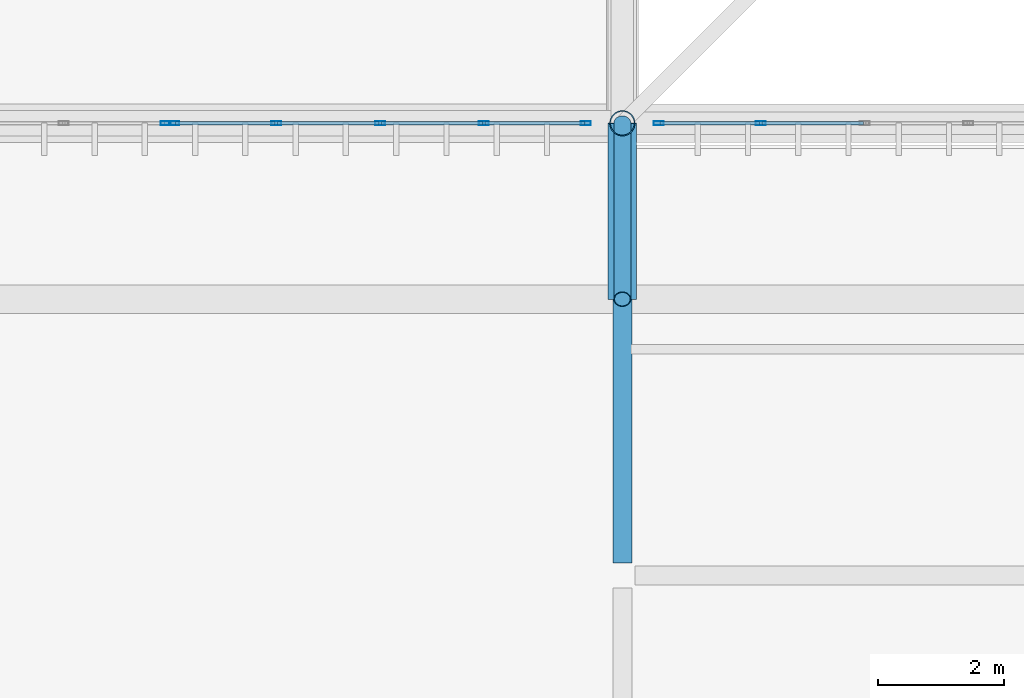
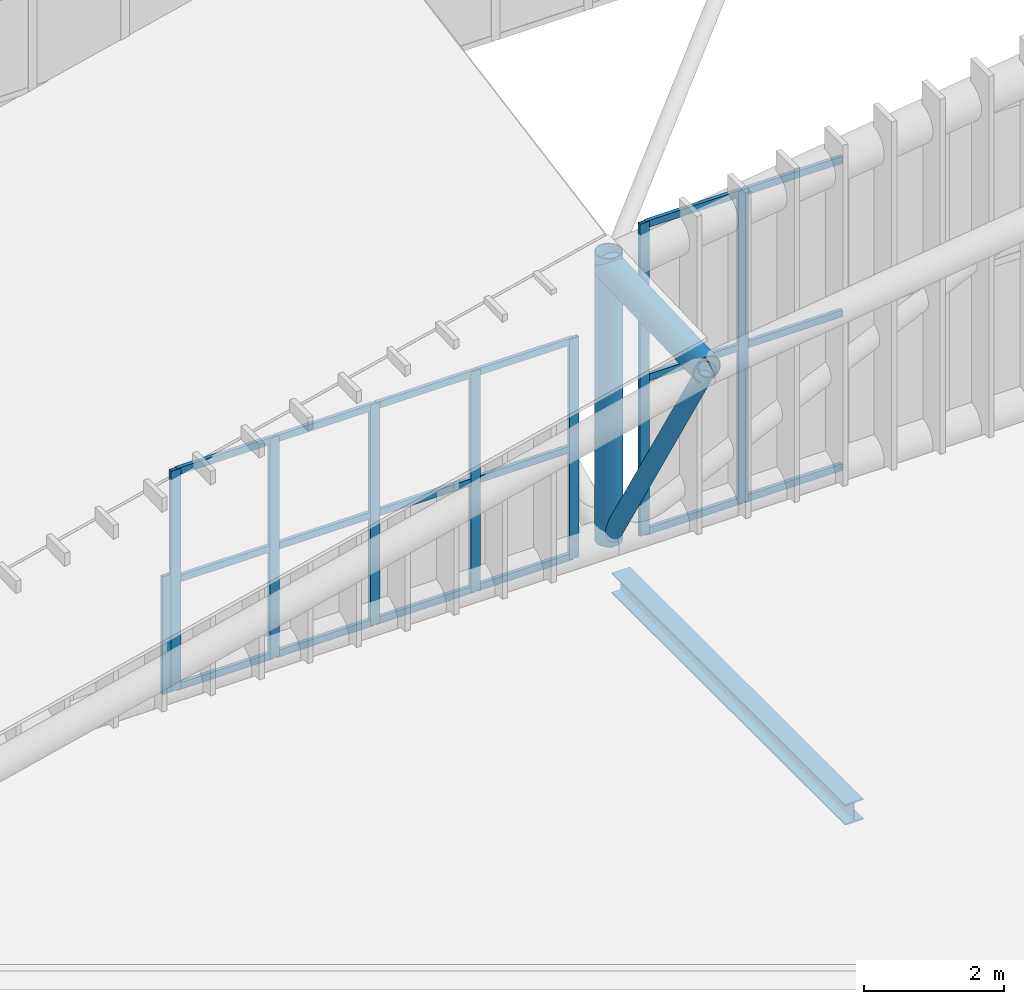
# One storey, part 5 of 397: 28 members, 2 beams, 3 elements without a shape of their own.
"""IFC4 building model written with IfcOpenShell, lengths in metres."""

from ifc_helpers import new_model, si_unit, direction, frame, origin, origin_2d, place, context, subcontext, project, spatial, hollow_rectangle, hollow_circle, i_section, extrude, material, material_profile, profile_set, type_object, element, aggregate, save


model = new_model("IFC4")

# Units and contexts
model_context = context("Model", 3, precision=1e-05, world=origin(), true_north=direction((0.0, 1.0)))
body_context = subcontext(model_context, "Body", "Model", "MODEL_VIEW")
ifc_project = project(units=[si_unit("LENGTHUNIT", "METRE"), si_unit("AREAUNIT", "SQUARE_METRE"), si_unit("VOLUMEUNIT", "CUBIC_METRE"), si_unit("PLANEANGLEUNIT", "RADIAN"), si_unit("MASSUNIT", "GRAM", prefix="KILO")], contexts=[model_context])

# Site, building, storey
site_placement = place(None, origin())
site = spatial("IfcSite", under=ifc_project, at=site_placement, CompositionType="ELEMENT")
building_placement = place(site_placement, origin())
building = spatial("IfcBuilding", under=site, at=building_placement, Name="Qandorah Velis Arena", CompositionType="ELEMENT")
storey_placement = place(building_placement, frame((0.0, 0.0, 27.5)))
storey = spatial("IfcBuildingStorey", under=building, at=storey_placement, Name="RF", CompositionType="ELEMENT", Elevation=27.5)

# Curtain wall, member
ifc_material_1 = material(Name="Solar-control low-E double glazing", Category="glass")
curtain_wall_type_1 = type_object("IfcCurtainWallType", Name="ARC-CW-SYS17", PredefinedType="USERDEFINED", material=ifc_material_1)
curtain_wall_1_placement = place(storey_placement, origin())
curtain_wall_1 = element("IfcCurtainWall", 1, at=curtain_wall_1_placement, inside=storey, type_object=curtain_wall_type_1, Name="Unitised curtain wall CROWN-3-01S1", ObjectType="UNITISED CURTAIN WALL", PredefinedType="USERDEFINED")
ifc_material_2 = material(Name="Champagne-bronze anodized aluminium 6063-T6", Category="aluminium")
ifc_material_profile_1 = material_profile(ifc_material_2, hollow_rectangle(XDim=0.06005859375, YDim=0.159912109375, WallThickness=0.00341796875, at=origin_2d()), Name="ALU MULLION 60x160")
ifc_profile_set_1 = profile_set([ifc_material_profile_1], Name="Champagne-bronze anodized aluminium 6063-T6")
member_type_1 = type_object("IfcMemberType", Name="ARC-CWM-160", PredefinedType="MULLION", material=ifc_profile_set_1)
member_1_placement = place(storey_placement, frame((21.530029296875, 14.39990234375, -0.014892578125), z_axis=(0.0, 0.0, 1.0), x_axis=(0.0, 1.0, 0.0)))
member_1 = element("IfcMember", 2, at=member_1_placement, type_object=member_type_1, Name="CW17 mullion 5", PredefinedType="MULLION", context=body_context, shape_type="SweptSolid", body=[
    extrude(hollow_rectangle(XDim=0.06005859375, YDim=0.159912109375, WallThickness=0.00341796875, at=origin_2d()), origin(), (0.0, 0.0, 1.0), 2.04541015625),
])
aggregate(curtain_wall_1, [member_1])

# Curtain wall, members
curtain_wall_type_2 = type_object("IfcCurtainWallType", Name="ARC-CW-SYS18", PredefinedType="USERDEFINED", material=ifc_material_1)
curtain_wall_2_placement = place(storey_placement, origin())
curtain_wall_2 = element("IfcCurtainWall", 3, at=curtain_wall_2_placement, inside=storey, type_object=curtain_wall_type_2, Name="Unitised curtain wall CROWN-3-01S2", ObjectType="UNITISED CURTAIN WALL", PredefinedType="USERDEFINED")
member_2_placement = place(storey_placement, frame((21.669921875, 14.39990234375, -0.014892578125), z_axis=(0.0, 0.0, 1.0), x_axis=(0.0, 1.0, 0.0)))
member_2 = element("IfcMember", 4, at=member_2_placement, type_object=member_type_1, Name="CW18 mullion 1", PredefinedType="MULLION", context=body_context, shape_type="SweptSolid", body=[
    extrude(hollow_rectangle(XDim=0.06005859375, YDim=0.159912109375, WallThickness=0.00341796875, at=origin_2d()), origin(), (0.0, 0.0, 1.0), 3.83447265625),
])
member_3_placement = place(storey_placement, frame((23.29248046875, 14.39990234375, -0.014892578125), z_axis=(0.0, 0.0, 1.0), x_axis=(0.0, 1.0, 0.0)))
member_3 = element("IfcMember", 5, at=member_3_placement, type_object=member_type_1, Name="CW18 mullion 2", PredefinedType="MULLION", context=body_context, shape_type="SweptSolid", body=[
    extrude(hollow_rectangle(XDim=0.06005859375, YDim=0.159912109375, WallThickness=0.00341796875, at=origin_2d()), origin(), (0.0, 0.0, 1.0), 3.83447265625),
])
member_4_placement = place(storey_placement, frame((24.945068359375, 14.39990234375, -0.014892578125), z_axis=(0.0, 0.0, 1.0), x_axis=(0.0, 1.0, 0.0)))
member_4 = element("IfcMember", 6, at=member_4_placement, type_object=member_type_1, Name="CW18 mullion 3", PredefinedType="MULLION", context=body_context, shape_type="SweptSolid", body=[
    extrude(hollow_rectangle(XDim=0.06005859375, YDim=0.159912109375, WallThickness=0.00341796875, at=origin_2d()), origin(), (0.0, 0.0, 1.0), 3.83447265625),
])
member_5_placement = place(storey_placement, frame((26.597412109375, 14.39990234375, -0.014892578125), z_axis=(0.0, 0.0, 1.0), x_axis=(0.0, 1.0, 0.0)))
member_5 = element("IfcMember", 7, at=member_5_placement, type_object=member_type_1, Name="CW18 mullion 4", PredefinedType="MULLION", context=body_context, shape_type="SweptSolid", body=[
    extrude(hollow_rectangle(XDim=0.06005859375, YDim=0.159912109375, WallThickness=0.00341796875, at=origin_2d()), origin(), (0.0, 0.0, 1.0), 3.83447265625),
])
member_6_placement = place(storey_placement, frame((28.219970703125, 14.39990234375, -0.014892578125), z_axis=(0.0, 0.0, 1.0), x_axis=(0.0, 1.0, 0.0)))
member_6 = element("IfcMember", 8, at=member_6_placement, type_object=member_type_1, Name="CW18 mullion 5", PredefinedType="MULLION", context=body_context, shape_type="SweptSolid", body=[
    extrude(hollow_rectangle(XDim=0.06005859375, YDim=0.159912109375, WallThickness=0.00341796875, at=origin_2d()), origin(), (0.0, 0.0, 1.0), 3.83447265625),
])

curtain_wall_3_placement = place(storey_placement, origin())
curtain_wall_3 = element("IfcCurtainWall", 9, at=curtain_wall_3_placement, inside=storey, type_object=curtain_wall_type_2, Name="Unitised curtain wall CROWN-3-02S1", ObjectType="UNITISED CURTAIN WALL", PredefinedType="USERDEFINED")
member_7_placement = place(storey_placement, frame((29.3798828125, 14.39990234375, -0.014892578125), z_axis=(0.0, 0.0, 1.0), x_axis=(0.0, 1.0, 0.0)))
member_7 = element("IfcMember", 10, at=member_7_placement, type_object=member_type_1, Name="CW18 mullion 1", PredefinedType="MULLION", context=body_context, shape_type="SweptSolid", body=[
    extrude(hollow_rectangle(XDim=0.06005859375, YDim=0.159912109375, WallThickness=0.00341796875, at=origin_2d()), origin(), (0.0, 0.0, 1.0), 5.430908203125),
])
member_8_placement = place(storey_placement, frame((31.00244140625, 14.39990234375, -0.014892578125), z_axis=(0.0, 0.0, 1.0), x_axis=(0.0, 1.0, 0.0)))
member_8 = element("IfcMember", 11, at=member_8_placement, type_object=member_type_1, Name="CW18 mullion 2", PredefinedType="MULLION", context=body_context, shape_type="SweptSolid", body=[
    extrude(hollow_rectangle(XDim=0.06005859375, YDim=0.159912109375, WallThickness=0.00341796875, at=origin_2d()), origin(), (0.0, 0.0, 1.0), 5.430908203125),
])

# Member
ifc_material_profile_2 = material_profile(ifc_material_2, hollow_rectangle(XDim=0.06005859375, YDim=0.1201171875, WallThickness=0.0029296875, at=origin_2d()), Name="ALU TRANSOM 60x120")
ifc_profile_set_2 = profile_set([ifc_material_profile_2], Name="Champagne-bronze anodized aluminium 6063-T6")
member_type_2 = type_object("IfcMemberType", Name="ARC-CWT-120", PredefinedType="USERDEFINED", material=ifc_profile_set_2)
member_9_placement = place(storey_placement, frame((21.68798828125, 14.39990234375, 0.030029296875), z_axis=(1.0, 0.0, 0.0), x_axis=(0.0, 1.0, 0.0)))
member_9 = element("IfcMember", 12, at=member_9_placement, type_object=member_type_2, Name="CW18 transom 1.1", ObjectType="TRANSOM", PredefinedType="USERDEFINED", context=body_context, shape_type="SweptSolid", body=[
    extrude(hollow_rectangle(XDim=0.06005859375, YDim=0.1201171875, WallThickness=0.0029296875, at=origin_2d()), origin(), (0.0, 0.0, 1.0), 1.58642578125),
])

member_10_placement = place(storey_placement, frame((21.68798828125, 14.39990234375, 1.90234375), z_axis=(1.0, 0.0, 0.0), x_axis=(0.0, 1.0, 0.0)))
member_10 = element("IfcMember", 13, at=member_10_placement, type_object=member_type_2, Name="CW18 transom 1.2", ObjectType="TRANSOM", PredefinedType="USERDEFINED", context=body_context, shape_type="SweptSolid", body=[
    extrude(hollow_rectangle(XDim=0.06005859375, YDim=0.1201171875, WallThickness=0.0029296875, at=origin_2d()), origin(), (0.0, 0.0, 1.0), 1.58642578125),
])

member_11_placement = place(storey_placement, frame((21.68798828125, 14.39990234375, 3.774658203125), z_axis=(1.0, 0.0, 0.0), x_axis=(0.0, 1.0, 0.0)))
member_11 = element("IfcMember", 14, at=member_11_placement, type_object=member_type_2, Name="CW18 transom 1.3", ObjectType="TRANSOM", PredefinedType="USERDEFINED", context=body_context, shape_type="SweptSolid", body=[
    extrude(hollow_rectangle(XDim=0.06005859375, YDim=0.1201171875, WallThickness=0.0029296875, at=origin_2d()), origin(), (0.0, 0.0, 1.0), 1.58642578125),
])

member_12_placement = place(storey_placement, frame((23.310546875, 14.39990234375, 0.030029296875), z_axis=(1.0, 0.0, 0.0), x_axis=(0.0, 1.0, 0.0)))
member_12 = element("IfcMember", 15, at=member_12_placement, type_object=member_type_2, Name="CW18 transom 2.1", ObjectType="TRANSOM", PredefinedType="USERDEFINED", context=body_context, shape_type="SweptSolid", body=[
    extrude(hollow_rectangle(XDim=0.06005859375, YDim=0.1201171875, WallThickness=0.0029296875, at=origin_2d()), origin(), (0.0, 0.0, 1.0), 1.616455078125),
])

member_13_placement = place(storey_placement, frame((23.310546875, 14.39990234375, 1.90234375), z_axis=(1.0, 0.0, 0.0), x_axis=(0.0, 1.0, 0.0)))
member_13 = element("IfcMember", 16, at=member_13_placement, type_object=member_type_2, Name="CW18 transom 2.2", ObjectType="TRANSOM", PredefinedType="USERDEFINED", context=body_context, shape_type="SweptSolid", body=[
    extrude(hollow_rectangle(XDim=0.06005859375, YDim=0.1201171875, WallThickness=0.0029296875, at=origin_2d()), origin(), (0.0, 0.0, 1.0), 1.616455078125),
])

member_14_placement = place(storey_placement, frame((23.310546875, 14.39990234375, 3.774658203125), z_axis=(1.0, 0.0, 0.0), x_axis=(0.0, 1.0, 0.0)))
member_14 = element("IfcMember", 17, at=member_14_placement, type_object=member_type_2, Name="CW18 transom 2.3", ObjectType="TRANSOM", PredefinedType="USERDEFINED", context=body_context, shape_type="SweptSolid", body=[
    extrude(hollow_rectangle(XDim=0.06005859375, YDim=0.1201171875, WallThickness=0.0029296875, at=origin_2d()), origin(), (0.0, 0.0, 1.0), 1.616455078125),
])

member_15_placement = place(storey_placement, frame((24.962890625, 14.39990234375, 0.030029296875), z_axis=(1.0, 0.0, 0.0), x_axis=(0.0, 1.0, 0.0)))
member_15 = element("IfcMember", 18, at=member_15_placement, type_object=member_type_2, Name="CW18 transom 3.1", ObjectType="TRANSOM", PredefinedType="USERDEFINED", context=body_context, shape_type="SweptSolid", body=[
    extrude(hollow_rectangle(XDim=0.06005859375, YDim=0.1201171875, WallThickness=0.0029296875, at=origin_2d()), origin(), (0.0, 0.0, 1.0), 1.61669921875),
])

member_16_placement = place(storey_placement, frame((24.962890625, 14.39990234375, 1.90234375), z_axis=(1.0, 0.0, 0.0), x_axis=(0.0, 1.0, 0.0)))
member_16 = element("IfcMember", 19, at=member_16_placement, type_object=member_type_2, Name="CW18 transom 3.2", ObjectType="TRANSOM", PredefinedType="USERDEFINED", context=body_context, shape_type="SweptSolid", body=[
    extrude(hollow_rectangle(XDim=0.06005859375, YDim=0.1201171875, WallThickness=0.0029296875, at=origin_2d()), origin(), (0.0, 0.0, 1.0), 1.61669921875),
])

member_17_placement = place(storey_placement, frame((24.962890625, 14.39990234375, 3.774658203125), z_axis=(1.0, 0.0, 0.0), x_axis=(0.0, 1.0, 0.0)))
member_17 = element("IfcMember", 20, at=member_17_placement, type_object=member_type_2, Name="CW18 transom 3.3", ObjectType="TRANSOM", PredefinedType="USERDEFINED", context=body_context, shape_type="SweptSolid", body=[
    extrude(hollow_rectangle(XDim=0.06005859375, YDim=0.1201171875, WallThickness=0.0029296875, at=origin_2d()), origin(), (0.0, 0.0, 1.0), 1.61669921875),
])

member_18_placement = place(storey_placement, frame((26.615478515625, 14.39990234375, 0.030029296875), z_axis=(1.0, 0.0, 0.0), x_axis=(0.0, 1.0, 0.0)))
member_18 = element("IfcMember", 21, at=member_18_placement, type_object=member_type_2, Name="CW18 transom 4.1", ObjectType="TRANSOM", PredefinedType="USERDEFINED", context=body_context, shape_type="SweptSolid", body=[
    extrude(hollow_rectangle(XDim=0.06005859375, YDim=0.1201171875, WallThickness=0.0029296875, at=origin_2d()), origin(), (0.0, 0.0, 1.0), 1.58642578125),
])

member_19_placement = place(storey_placement, frame((26.615478515625, 14.39990234375, 1.90234375), z_axis=(1.0, 0.0, 0.0), x_axis=(0.0, 1.0, 0.0)))
member_19 = element("IfcMember", 22, at=member_19_placement, type_object=member_type_2, Name="CW18 transom 4.2", ObjectType="TRANSOM", PredefinedType="USERDEFINED", context=body_context, shape_type="SweptSolid", body=[
    extrude(hollow_rectangle(XDim=0.06005859375, YDim=0.1201171875, WallThickness=0.0029296875, at=origin_2d()), origin(), (0.0, 0.0, 1.0), 1.58642578125),
])

member_20_placement = place(storey_placement, frame((26.615478515625, 14.39990234375, 3.774658203125), z_axis=(1.0, 0.0, 0.0), x_axis=(0.0, 1.0, 0.0)))
member_20 = element("IfcMember", 23, at=member_20_placement, type_object=member_type_2, Name="CW18 transom 4.3", ObjectType="TRANSOM", PredefinedType="USERDEFINED", context=body_context, shape_type="SweptSolid", body=[
    extrude(hollow_rectangle(XDim=0.06005859375, YDim=0.1201171875, WallThickness=0.0029296875, at=origin_2d()), origin(), (0.0, 0.0, 1.0), 1.58642578125),
])

aggregate(curtain_wall_2, [member_2, member_3, member_4, member_5, member_6, member_9, member_10, member_11, member_12, member_13, member_14, member_15, member_16, member_17, member_18, member_19, member_20])

member_21_placement = place(storey_placement, frame((29.39794921875, 14.39990234375, 0.030029296875), z_axis=(1.0, 0.0, 0.0), x_axis=(0.0, 1.0, 0.0)))
member_21 = element("IfcMember", 24, at=member_21_placement, type_object=member_type_2, Name="CW18 transom 1.1", ObjectType="TRANSOM", PredefinedType="USERDEFINED", context=body_context, shape_type="SweptSolid", body=[
    extrude(hollow_rectangle(XDim=0.06005859375, YDim=0.1201171875, WallThickness=0.0029296875, at=origin_2d()), origin(), (0.0, 0.0, 1.0), 1.586669921875),
])

member_22_placement = place(storey_placement, frame((29.39794921875, 14.39990234375, 2.700439453125), z_axis=(1.0, 0.0, 0.0), x_axis=(0.0, 1.0, 0.0)))
member_22 = element("IfcMember", 25, at=member_22_placement, type_object=member_type_2, Name="CW18 transom 1.2", ObjectType="TRANSOM", PredefinedType="USERDEFINED", context=body_context, shape_type="SweptSolid", body=[
    extrude(hollow_rectangle(XDim=0.06005859375, YDim=0.1201171875, WallThickness=0.0029296875, at=origin_2d()), origin(), (0.0, 0.0, 1.0), 1.586669921875),
])

member_23_placement = place(storey_placement, frame((29.39794921875, 14.39990234375, 5.370849609375), z_axis=(1.0, 0.0, 0.0), x_axis=(0.0, 1.0, 0.0)))
member_23 = element("IfcMember", 26, at=member_23_placement, type_object=member_type_2, Name="CW18 transom 1.3", ObjectType="TRANSOM", PredefinedType="USERDEFINED", context=body_context, shape_type="SweptSolid", body=[
    extrude(hollow_rectangle(XDim=0.06005859375, YDim=0.1201171875, WallThickness=0.0029296875, at=origin_2d()), origin(), (0.0, 0.0, 1.0), 1.586669921875),
])

member_24_placement = place(storey_placement, frame((31.0205078125, 14.39990234375, 0.030029296875), z_axis=(1.0, 0.0, 0.0), x_axis=(0.0, 1.0, 0.0)))
member_24 = element("IfcMember", 27, at=member_24_placement, type_object=member_type_2, Name="CW18 transom 2.1", ObjectType="TRANSOM", PredefinedType="USERDEFINED", context=body_context, shape_type="SweptSolid", body=[
    extrude(hollow_rectangle(XDim=0.06005859375, YDim=0.1201171875, WallThickness=0.0029296875, at=origin_2d()), origin(), (0.0, 0.0, 1.0), 1.616455078125),
])

member_25_placement = place(storey_placement, frame((31.0205078125, 14.39990234375, 2.700439453125), z_axis=(1.0, 0.0, 0.0), x_axis=(0.0, 1.0, 0.0)))
member_25 = element("IfcMember", 28, at=member_25_placement, type_object=member_type_2, Name="CW18 transom 2.2", ObjectType="TRANSOM", PredefinedType="USERDEFINED", context=body_context, shape_type="SweptSolid", body=[
    extrude(hollow_rectangle(XDim=0.06005859375, YDim=0.1201171875, WallThickness=0.0029296875, at=origin_2d()), origin(), (0.0, 0.0, 1.0), 1.616455078125),
])

member_26_placement = place(storey_placement, frame((31.0205078125, 14.39990234375, 5.370849609375), z_axis=(1.0, 0.0, 0.0), x_axis=(0.0, 1.0, 0.0)))
member_26 = element("IfcMember", 29, at=member_26_placement, type_object=member_type_2, Name="CW18 transom 2.3", ObjectType="TRANSOM", PredefinedType="USERDEFINED", context=body_context, shape_type="SweptSolid", body=[
    extrude(hollow_rectangle(XDim=0.06005859375, YDim=0.1201171875, WallThickness=0.0029296875, at=origin_2d()), origin(), (0.0, 0.0, 1.0), 1.616455078125),
])

aggregate(curtain_wall_3, [member_7, member_8, member_21, member_22, member_23, member_24, member_25, member_26])

# Beams
ifc_material_3 = material(Name="Steel S355", Category="steel")
ifc_material_profile_3 = material_profile(ifc_material_3, i_section(OverallWidth=0.300048828125, OverallDepth=0.360107421875, WebThickness=0.012451171875, FlangeThickness=0.0224609375, FilletRadius=0.027099609375, at=origin_2d()), Name="HEB 360")
ifc_profile_set_3 = profile_set([ifc_material_profile_3], Name="Steel S355")
beam_type_1 = type_object("IfcBeamType", Name="STR-BM-HEB360", PredefinedType="BEAM", material=ifc_profile_set_3)
beam_1_placement = place(storey_placement, frame((28.800048828125, 7.39990234375, -0.39990234375), z_axis=(0.0, 1.0, 0.0), x_axis=(-1.0, 0.0, 0.0)))
element("IfcBeam", 30, at=beam_1_placement, inside=storey, type_object=beam_type_1, Name="Primary floor girder RF Y-088", PredefinedType="BEAM", context=body_context, shape_type="SweptSolid", body=[
    extrude(i_section(OverallWidth=0.300048828125, OverallDepth=0.360107421875, WebThickness=0.012451171875, FlangeThickness=0.0224609375, FilletRadius=0.027099609375, at=origin_2d()), origin(), (0.0, 0.0, 1.0), 6.650146484375),
])
ifc_material_profile_4 = material_profile(ifc_material_3, hollow_circle(Radius=0.228515625, WallThickness=0.01611328125, at=origin_2d()), Name="CHS 457x16")
ifc_profile_set_4 = profile_set([ifc_material_profile_4], Name="Steel S355")
beam_type_2 = type_object("IfcBeamType", Name="STR-SFC-CHS457X16", PredefinedType="USERDEFINED", material=ifc_profile_set_4)
beam_2_placement = place(storey_placement, frame((28.800048828125, 14.39990234375, 4.851806640625), z_axis=(0.0, -0.999364629289, -0.035641797469), x_axis=(1.0, 0.0, 0.0)))
element("IfcBeam", 31, at=beam_2_placement, inside=storey, type_object=beam_type_2, Name="Space frame eave outrigger S-1", ObjectType="ROOF TRUSS", PredefinedType="USERDEFINED", context=body_context, shape_type="SweptSolid", body=[
    extrude(hollow_circle(Radius=0.228515625, WallThickness=0.01611328125, at=origin_2d()), origin(), (0.0, 0.0, 1.0), 2.801513671875),
])

# Members
ifc_material_profile_5 = material_profile(ifc_material_3, hollow_circle(Radius=0.136474609375, WallThickness=0.012451171875, at=origin_2d()), Name="CHS 273x12.5")
ifc_profile_set_5 = profile_set([ifc_material_profile_5], Name="Steel S355")
member_type_3 = type_object("IfcMemberType", Name="STR-SFD-CHS273X12", PredefinedType="STRUT", material=ifc_profile_set_5)
member_27_placement = place(storey_placement, frame((28.800048828125, 14.39990234375, 0.10009765625), z_axis=(0.0, -0.515672327001, 0.856785884084), x_axis=(1.0, 0.0, 0.0)))
element("IfcMember", 32, at=member_27_placement, inside=storey, type_object=member_type_3, Name="Space frame eave raking strut S-1", PredefinedType="STRUT", context=body_context, shape_type="SweptSolid", body=[
    extrude(hollow_circle(Radius=0.136474609375, WallThickness=0.012451171875, at=origin_2d()), origin(), (0.0, 0.0, 1.0), 5.429443359375),
])
ifc_material_profile_6 = material_profile(ifc_material_3, hollow_circle(Radius=0.203125, WallThickness=0.01611328125, at=origin_2d()), Name="CHS 406.4x16")
ifc_profile_set_6 = profile_set([ifc_material_profile_6], Name="Steel S355")
member_type_4 = type_object("IfcMemberType", Name="STR-SFD-CHS406X16", PredefinedType="STRUT", material=ifc_profile_set_6)
member_28_placement = place(storey_placement, frame((28.800048828125, 14.39990234375, 0.10009765625), z_axis=(0.0, 0.0, 1.0), x_axis=(1.0, 0.0, 0.0)))
element("IfcMember", 33, at=member_28_placement, inside=storey, type_object=member_type_4, Name="Space frame roof vertical post 1.0", PredefinedType="STRUT", context=body_context, shape_type="SweptSolid", body=[
    extrude(hollow_circle(Radius=0.203125, WallThickness=0.01611328125, at=origin_2d()), origin(), (0.0, 0.0, 1.0), 5.01171875),
])

save(model, "model.ifc")
